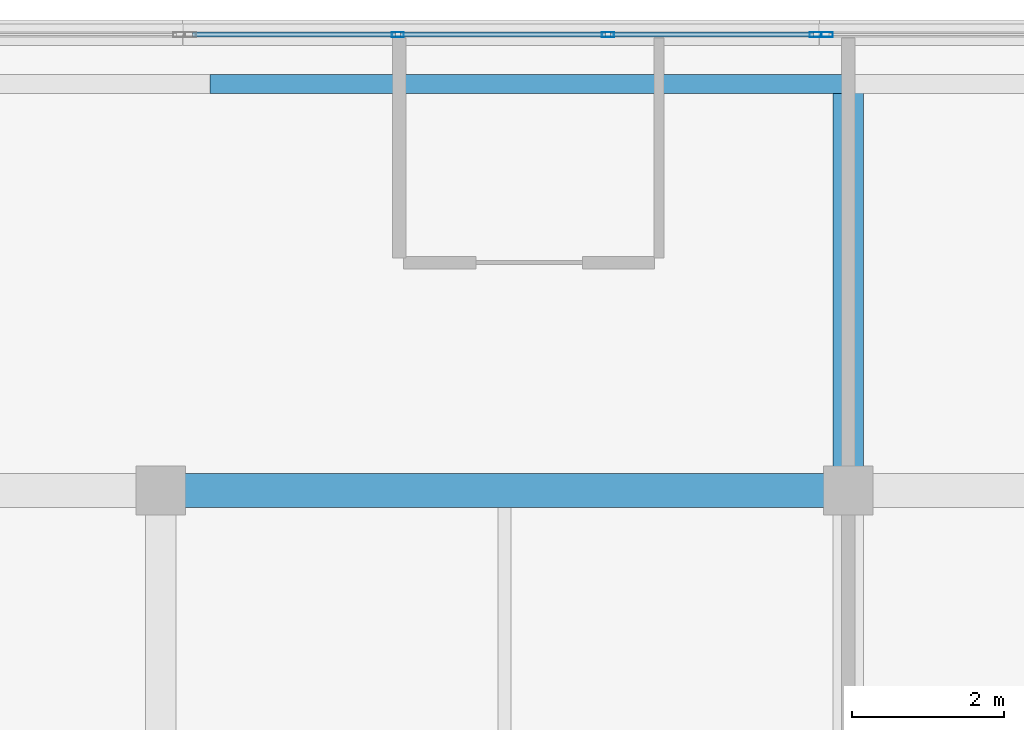
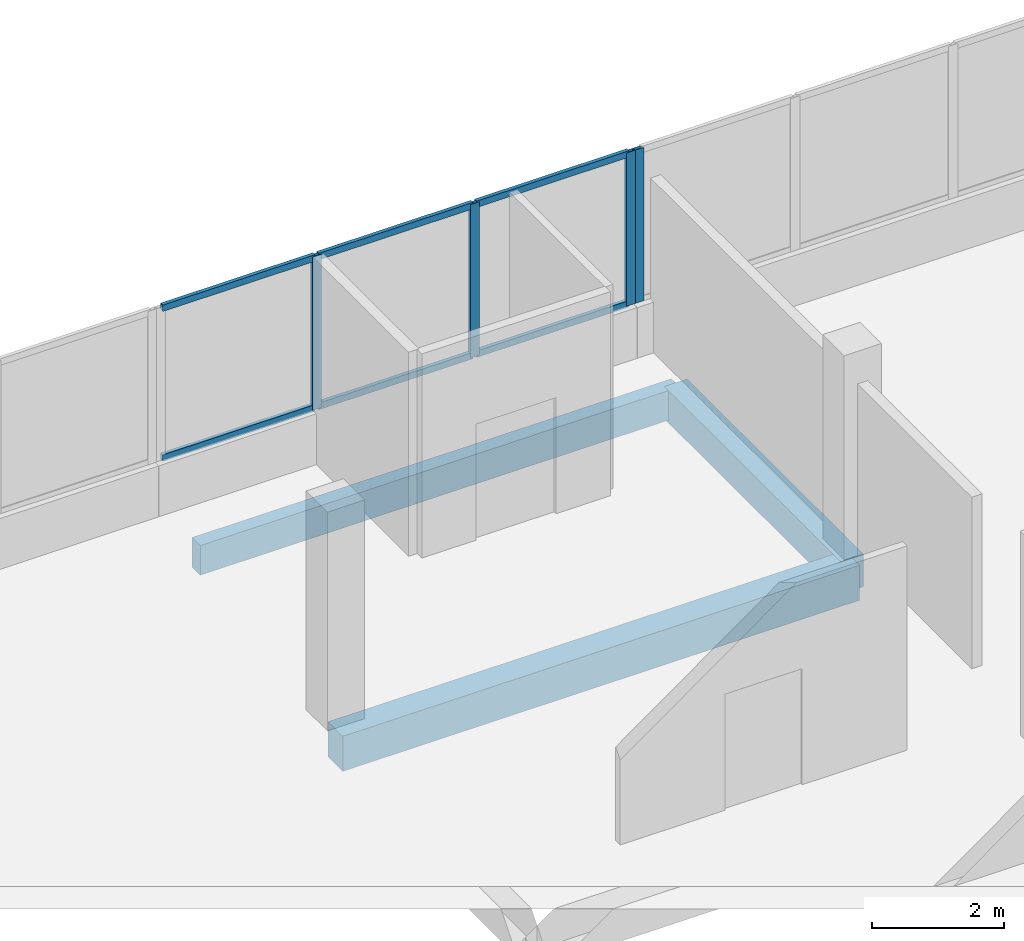
# One storey, part 59 of 76: 10 members, 3 beams, 2 elements without a shape of their own.
"""IFC4 building model written with IfcOpenShell, lengths in metres."""

import ifcopenshell
import ifcopenshell.guid

model = None  # the IFC model being written
_history = None  # IfcOwnerHistory: only IFC2X3 demands one
_inside = {}  # id of a spatial element -> (the spatial element, [elements in it])
_under = {}  # id of a project, library or spatial element -> (it, [spatial elements below it])
_declared = {}  # id of a project -> (the project, [libraries it declares])
_typed = {}  # id of a type object -> (the type object, [elements of that type])
_made_of = {}  # id of a material, layer set ... -> (it, [elements and type objects made of it])


def new_model(schema):
    """Start an empty IFC model of exactly this schema.

    Asked for "IFC4X3", IfcOpenShell would pick the latest addendum, in which some entities
    have other attributes; the version numbers below select the first issue.
    IFC2X3 requires an IfcOwnerHistory on every rooted entity: one is made here for all.
    """
    global model, _history
    if schema == "IFC4X3":
        model = ifcopenshell.file(schema_version=(4, 3, 0, 0))
    else:
        model = ifcopenshell.file(schema=schema)
    _inside.clear()
    _under.clear()
    _declared.clear()
    _typed.clear()
    _made_of.clear()
    _history = None
    if model.schema == "IFC2X3":
        org = make("IfcOrganization", Name="unknown")
        user = make(
            "IfcPersonAndOrganization",
            ThePerson=make("IfcPerson", FamilyName="unknown"),
            TheOrganization=org,
        )
        app = make(
            "IfcApplication",
            ApplicationDeveloper=org,
            Version="unknown",
            ApplicationFullName="unknown",
            ApplicationIdentifier="unknown",
        )
        _history = make(
            "IfcOwnerHistory",
            OwningUser=user,
            OwningApplication=app,
            ChangeAction="ADDED",
            CreationDate=0,
        )
    return model


def make(cls, **values):
    """One entity of the class cls with the attributes given. An attribute that is None is left unset."""
    return model.create_entity(
        cls, **{name: value for name, value in values.items() if value is not None}
    )


def rooted(cls, **values):
    """An entity with a GlobalId (a new one), such as an element, a storey or a relation."""
    return make(cls, GlobalId=ifcopenshell.guid.new(), OwnerHistory=_history, **values)


def si_unit(unit_type, name, prefix=None):
    """IfcSIUnit, for example si_unit("LENGTHUNIT", "METRE", prefix="MILLI")."""
    return make("IfcSIUnit", UnitType=unit_type, Prefix=prefix, Name=name)


def assignment(units):
    """IfcUnitAssignment: the units of a project."""
    return None if units is None else make("IfcUnitAssignment", Units=units)


def point(xyz):
    """IfcCartesianPoint."""
    return None if xyz is None else make("IfcCartesianPoint", Coordinates=xyz)


def direction(xyz):
    """IfcDirection."""
    return None if xyz is None else make("IfcDirection", DirectionRatios=xyz)


def frame(location, z_axis=None, x_axis=None):
    """IfcAxis2Placement3D, a coordinate frame: its origin and axes. An axis left out is left unset."""
    return make(
        "IfcAxis2Placement3D",
        Location=point(location),
        Axis=direction(z_axis),
        RefDirection=direction(x_axis),
    )


def frame_2d(location, x_axis=None):
    """IfcAxis2Placement2D, a coordinate frame in the plane: its origin and x axis."""
    return make(
        "IfcAxis2Placement2D", Location=point(location), RefDirection=direction(x_axis)
    )


def origin():
    """The frame at (0, 0, 0) with its axes left unset."""
    return frame((0.0, 0.0, 0.0))


def origin_2d():
    """The frame at (0, 0) in the plane with its x axis left unset."""
    return frame_2d((0.0, 0.0))


def place(relative_to, where):
    """IfcLocalPlacement: puts the frame where relative to a parent placement (None: the world)."""
    return make(
        "IfcLocalPlacement", PlacementRelTo=relative_to, RelativePlacement=where
    )


def context(
    kind, dimensions, precision=None, world=None, true_north=None, identifier=None
):
    """IfcGeometricRepresentationContext, for example the 3D "Model" context."""
    return make(
        "IfcGeometricRepresentationContext",
        ContextIdentifier=identifier,
        ContextType=kind,
        CoordinateSpaceDimension=dimensions,
        Precision=precision,
        WorldCoordinateSystem=world,
        TrueNorth=true_north,
    )


def subcontext(parent, identifier, kind, view, scale=None):
    """IfcGeometricRepresentationSubContext, for example "Body" below "Model"."""
    return make(
        "IfcGeometricRepresentationSubContext",
        ContextIdentifier=identifier,
        ContextType=kind,
        ParentContext=parent,
        TargetScale=scale,
        TargetView=view,
    )


def project(units=None, contexts=None):
    """IfcProject with its units and contexts."""
    return rooted(
        "IfcProject",
        Name="project",
        RepresentationContexts=contexts,
        UnitsInContext=assignment(units),
    )


def spatial(cls, under=None, at=None, **own):
    """A site, building, storey or space (cls), placed at a placement, below another one or the project."""
    s = rooted(cls, ObjectPlacement=at, **own)
    if under is not None:
        _under.setdefault(under.id(), (under, []))[1].append(s)
    return s


def profile(cls, at=None, kind="AREA", **sizes):
    """A parametric profile (cls). Its sizes go by their IFC names, for example OverallWidth=200.0."""
    return make(cls, ProfileType=kind, Position=at, **sizes)


def rectangle(**sizes):
    """IfcRectangleProfileDef."""
    return profile("IfcRectangleProfileDef", **sizes)


def hollow_rectangle(**sizes):
    """IfcRectangleHollowProfileDef."""
    return profile("IfcRectangleHollowProfileDef", **sizes)


def extrude(swept, where, along, depth):
    """IfcExtrudedAreaSolid: the profile swept, set in the frame where, extruded along a direction by depth."""
    return make(
        "IfcExtrudedAreaSolid",
        SweptArea=swept,
        Position=where,
        ExtrudedDirection=direction(along),
        Depth=depth,
    )


def shape(context_of_items, identifier, shape_type, items):
    """IfcShapeRepresentation: the items that make up one representation, for example the "Body"."""
    return make(
        "IfcShapeRepresentation",
        ContextOfItems=context_of_items,
        RepresentationIdentifier=identifier,
        RepresentationType=shape_type,
        Items=items,
    )


def material(Name=None, Category=None):
    """IfcMaterial."""
    return make("IfcMaterial", Name=Name, Category=Category)


def material_profile(
    of_material, cross_section, Name=None, Category=None, Priority=None
):
    """IfcMaterialProfile: a cross section and its material."""
    return make(
        "IfcMaterialProfile",
        Name=Name,
        Material=of_material,
        Profile=cross_section,
        Priority=Priority,
        Category=Category,
    )


def profile_set(profiles, Name=None, composite=None):
    """IfcMaterialProfileSet."""
    return make(
        "IfcMaterialProfileSet",
        Name=Name,
        MaterialProfiles=profiles,
        CompositeProfile=composite,
    )


def made_of(thing, what):
    """Note that an element or type object is made of a material, layer set ...; save() writes the relation."""
    if what is not None:
        _made_of.setdefault(what.id(), (what, []))[1].append(thing)
    return thing


def type_object(cls, material=None, **own):
    """A type object (cls), such as IfcWallType, which elements share."""
    return made_of(rooted(cls, **own), material)


def element(
    cls,
    number,
    at=None,
    inside=None,
    cuts=None,
    type_object=None,
    material=None,
    context=None,
    identifier="Body",
    shape_type=None,
    held_by="IfcProductDefinitionShape",
    body=None,
    shapes=None,
    **own,
):
    """One element of the class cls, such as IfcWall. Its Tag is "e" and its number.

    at: its placement. inside: the storey or other place that contains it. cuts: it is an
    opening in that element (IfcRelVoidsElement). A single representation is given by context,
    identifier, shape_type and body (its items); several are given by shapes. held_by: the class
    of the entity that holds the representations. save() writes the other relations.
    """
    e = rooted(cls, Tag="e%d" % number, ObjectPlacement=at, **own)
    if body is not None:
        shapes = [shape(context, identifier, shape_type, body)]
    if shapes is not None:
        e.Representation = make(held_by, Representations=shapes)
    if inside is not None:
        _inside.setdefault(inside.id(), (inside, []))[1].append(e)
    if cuts is not None:
        rooted(
            "IfcRelVoidsElement", RelatingBuildingElement=cuts, RelatedOpeningElement=e
        )
    if type_object is not None:
        _typed.setdefault(type_object.id(), (type_object, []))[1].append(e)
    return made_of(e, material)


def aggregate(whole, parts):
    """IfcRelAggregates: a whole, such as a stair, and the parts it consists of."""
    return rooted("IfcRelAggregates", RelatingObject=whole, RelatedObjects=parts)


def save(model, path):
    """Write the relations noted so far, then the file.

    IfcRelAggregates (storeys below a building ...), IfcRelContainedInSpatialStructure (elements
    in a storey), IfcRelDefinesByType, IfcRelAssociatesMaterial and IfcRelDeclares: one each for
    every whole, place, type object, material and project.
    """
    for whole, parts in _under.values():
        aggregate(whole, parts)
    for where, things in _inside.values():
        rooted(
            "IfcRelContainedInSpatialStructure",
            RelatedElements=things,
            RelatingStructure=where,
        )
    for kind, things in _typed.values():
        rooted("IfcRelDefinesByType", RelatedObjects=things, RelatingType=kind)
    for what, things in _made_of.values():
        rooted("IfcRelAssociatesMaterial", RelatedObjects=things, RelatingMaterial=what)
    for by, libraries in _declared.values():
        rooted("IfcRelDeclares", RelatingContext=by, RelatedDefinitions=libraries)
    model.write(path)


model = new_model("IFC4")

# Units and contexts
model_context = context("Model", 3, precision=1e-05, world=origin(), true_north=direction((0.0, 1.0)))
body_context = subcontext(model_context, "Body", "Model", "MODEL_VIEW")
ifc_project = project(units=[si_unit("LENGTHUNIT", "METRE"), si_unit("AREAUNIT", "SQUARE_METRE"), si_unit("VOLUMEUNIT", "CUBIC_METRE"), si_unit("PLANEANGLEUNIT", "RADIAN"), si_unit("MASSUNIT", "GRAM", prefix="KILO")], contexts=[model_context])

# Site, building, storey
site_placement = place(None, origin())
site = spatial("IfcSite", under=ifc_project, at=site_placement, CompositionType="ELEMENT")
building_placement = place(site_placement, origin())
building = spatial("IfcBuilding", under=site, at=building_placement, Name="Selatvlak General Hospital", CompositionType="ELEMENT")
storey_placement = place(building_placement, frame((0.0, 0.0, 27.300048828125)))
storey = spatial("IfcBuildingStorey", under=building, at=storey_placement, Name="L06", CompositionType="ELEMENT", Elevation=27.300048828125)

# Beams
ifc_material_1 = material(Name="Concrete C40/50", Category="concrete")
ifc_material_profile_1 = material_profile(ifc_material_1, rectangle(XDim=0.449951171875, YDim=0.64990234375, at=origin_2d()), Name="RC-BM 450x650")
ifc_profile_set_1 = profile_set([ifc_material_profile_1], Name="Concrete C40/50")
beam_type_1 = type_object("IfcBeamType", Name="BM-G04", PredefinedType="BEAM", material=ifc_profile_set_1)
beam_1_placement = place(storey_placement, frame((164.949951171875, 114.0, -0.60009765625), z_axis=(1.0, 0.0, 0.0), x_axis=(0.0, 1.0, 0.0)))
element("IfcBeam", 1, at=beam_1_placement, inside=storey, type_object=beam_type_1, Name="Beam BMR-L06-2228", PredefinedType="BEAM", context=body_context, shape_type="SweptSolid", body=[
    extrude(rectangle(XDim=0.449951171875, YDim=0.64990234375, at=origin_2d()), origin(), (0.0, 0.0, 1.0), 9.050048828125),
])
ifc_material_profile_2 = material_profile(ifc_material_1, rectangle(XDim=0.39990234375, YDim=0.60009765625, at=origin_2d()), Name="RC-BM 400x600")
ifc_profile_set_2 = profile_set([ifc_material_profile_2], Name="Concrete C40/50")
beam_type_2 = type_object("IfcBeamType", Name="BM-G05", PredefinedType="BEAM", material=ifc_profile_set_2)
beam_2_placement = place(storey_placement, frame((174.0, 114.0, -0.574951171875), z_axis=(0.0, 1.0, 0.0), x_axis=(-1.0, 0.0, 0.0)))
element("IfcBeam", 2, at=beam_2_placement, inside=storey, type_object=beam_type_2, Name="Beam BMR-L06-2343", PredefinedType="BEAM", context=body_context, shape_type="SweptSolid", body=[
    extrude(rectangle(XDim=0.39990234375, YDim=0.60009765625, at=origin_2d()), origin(), (0.0, 0.0, 1.0), 5.35009765625),
])
ifc_material_profile_3 = material_profile(ifc_material_1, rectangle(XDim=0.25, YDim=0.550048828125, at=origin_2d()), Name="RC-SP 250x550")
ifc_profile_set_3 = profile_set([ifc_material_profile_3], Name="Concrete C40/50")
beam_type_3 = type_object("IfcBeamType", Name="BM-SP2", PredefinedType="SPANDREL", material=ifc_profile_set_3)
beam_3_placement = place(storey_placement, frame((165.60009765625, 119.35009765625, -0.550048828125), z_axis=(1.0, 0.0, 0.0), x_axis=(0.0, 1.0, 0.0)))
element("IfcBeam", 3, at=beam_3_placement, inside=storey, type_object=beam_type_3, Name="Beam BMR-L06-2243", PredefinedType="SPANDREL", context=body_context, shape_type="SweptSolid", body=[
    extrude(rectangle(XDim=0.25, YDim=0.550048828125, at=origin_2d()), origin(), (0.0, 0.0, 1.0), 8.39990234375),
])

# Curtain wall, members
ifc_material_2 = material(Name="Solar-control Low-E double glazing", Category="glass")
curtain_wall_type_1 = type_object("IfcCurtainWallType", Name="CW-CW-01", PredefinedType="USERDEFINED", material=ifc_material_2)
curtain_wall_1_placement = place(storey_placement, origin())
curtain_wall_1 = element("IfcCurtainWall", 4, at=curtain_wall_1_placement, inside=storey, type_object=curtain_wall_type_1, Name="Glazed facade curtain wall CW-L06-0615", ObjectType="UNITISED CURTAIN WALL", PredefinedType="USERDEFINED")
ifc_material_3 = material(Name="Dark anodised aluminium mullion", Category="aluminium")
ifc_material_profile_4 = material_profile(ifc_material_3, hollow_rectangle(XDim=0.06494140625, YDim=0.159912109375, WallThickness=0.00390625, at=origin_2d()), Name="AL-MUL 65x160x4")
ifc_profile_set_4 = profile_set([ifc_material_profile_4], Name="Dark anodised aluminium mullion")
member_type_1 = type_object("IfcMemberType", Name="CWM-01", PredefinedType="MULLION", material=ifc_profile_set_4)
member_1_placement = place(storey_placement, frame((168.072265625, 120.0, 0.93994140625), z_axis=(0.0, 0.0, 1.0), x_axis=(0.0, 1.0, 0.0)))
member_1 = element("IfcMember", 5, at=member_1_placement, type_object=member_type_1, Name="CW-01 mullion 2", PredefinedType="MULLION", context=body_context, shape_type="SweptSolid", body=[
    extrude(hollow_rectangle(XDim=0.06494140625, YDim=0.159912109375, WallThickness=0.00390625, at=origin_2d()), origin(), (0.0, 0.0, 1.0), 2.840087890625),
])
member_2_placement = place(storey_placement, frame((170.838623046875, 120.0, 0.93994140625), z_axis=(0.0, 0.0, 1.0), x_axis=(0.0, 1.0, 0.0)))
member_2 = element("IfcMember", 6, at=member_2_placement, type_object=member_type_1, Name="CW-01 mullion 3", PredefinedType="MULLION", context=body_context, shape_type="SweptSolid", body=[
    extrude(hollow_rectangle(XDim=0.06494140625, YDim=0.159912109375, WallThickness=0.00390625, at=origin_2d()), origin(), (0.0, 0.0, 1.0), 2.840087890625),
])
member_3_placement = place(storey_placement, frame((173.572509765625, 120.0, 0.93994140625), z_axis=(0.0, 0.0, 1.0), x_axis=(0.0, 1.0, 0.0)))
member_3 = element("IfcMember", 7, at=member_3_placement, type_object=member_type_1, Name="CW-01 mullion 4", PredefinedType="MULLION", context=body_context, shape_type="SweptSolid", body=[
    extrude(hollow_rectangle(XDim=0.06494140625, YDim=0.159912109375, WallThickness=0.00390625, at=origin_2d()), origin(), (0.0, 0.0, 1.0), 2.840087890625),
])

# Curtain wall, member
curtain_wall_type_2 = type_object("IfcCurtainWallType", Name="CW-CW-02", PredefinedType="USERDEFINED", material=ifc_material_2)
curtain_wall_2_placement = place(storey_placement, origin())
curtain_wall_2 = element("IfcCurtainWall", 8, at=curtain_wall_2_placement, inside=storey, type_object=curtain_wall_type_2, Name="Glazed facade curtain wall CW-L06-0616", ObjectType="UNITISED CURTAIN WALL", PredefinedType="USERDEFINED")
member_4_placement = place(storey_placement, frame((173.717529296875, 120.0, 0.93994140625), z_axis=(0.0, 0.0, 1.0), x_axis=(0.0, 1.0, 0.0)))
member_4 = element("IfcMember", 9, at=member_4_placement, type_object=member_type_1, Name="CW-02 mullion 1", PredefinedType="MULLION", context=body_context, shape_type="SweptSolid", body=[
    extrude(hollow_rectangle(XDim=0.06494140625, YDim=0.159912109375, WallThickness=0.00390625, at=origin_2d()), origin(), (0.0, 0.0, 1.0), 2.840087890625),
])
aggregate(curtain_wall_2, [member_4])

# Member
ifc_material_profile_5 = material_profile(ifc_material_3, hollow_rectangle(XDim=0.06494140625, YDim=0.1201171875, WallThickness=0.00390625, at=origin_2d()), Name="AL-TRN 65x120x4")
ifc_profile_set_5 = profile_set([ifc_material_profile_5], Name="Dark anodised aluminium mullion")
member_type_2 = type_object("IfcMemberType", Name="CWT-01", PredefinedType="USERDEFINED", material=ifc_profile_set_5)
member_5_placement = place(storey_placement, frame((165.37109375, 120.0, 0.972412109375), z_axis=(1.0, 0.0, 0.0), x_axis=(0.0, 1.0, 0.0)))
member_5 = element("IfcMember", 10, at=member_5_placement, type_object=member_type_2, Name="CW-01 transom 1.1", ObjectType="TRANSOM", PredefinedType="USERDEFINED", context=body_context, shape_type="SweptSolid", body=[
    extrude(hollow_rectangle(XDim=0.06494140625, YDim=0.1201171875, WallThickness=0.00390625, at=origin_2d()), origin(), (0.0, 0.0, 1.0), 2.668701171875),
])

member_6_placement = place(storey_placement, frame((165.37109375, 120.0, 3.74755859375), z_axis=(1.0, 0.0, 0.0), x_axis=(0.0, 1.0, 0.0)))
member_6 = element("IfcMember", 11, at=member_6_placement, type_object=member_type_2, Name="CW-01 transom 1.2", ObjectType="TRANSOM", PredefinedType="USERDEFINED", context=body_context, shape_type="SweptSolid", body=[
    extrude(hollow_rectangle(XDim=0.06494140625, YDim=0.1201171875, WallThickness=0.00390625, at=origin_2d()), origin(), (0.0, 0.0, 1.0), 2.668701171875),
])

member_7_placement = place(storey_placement, frame((168.104736328125, 120.0, 0.972412109375), z_axis=(1.0, 0.0, 0.0), x_axis=(0.0, 1.0, 0.0)))
member_7 = element("IfcMember", 12, at=member_7_placement, type_object=member_type_2, Name="CW-01 transom 2.1", ObjectType="TRANSOM", PredefinedType="USERDEFINED", context=body_context, shape_type="SweptSolid", body=[
    extrude(hollow_rectangle(XDim=0.06494140625, YDim=0.1201171875, WallThickness=0.00390625, at=origin_2d()), origin(), (0.0, 0.0, 1.0), 2.701416015625),
])

member_8_placement = place(storey_placement, frame((168.104736328125, 120.0, 3.74755859375), z_axis=(1.0, 0.0, 0.0), x_axis=(0.0, 1.0, 0.0)))
member_8 = element("IfcMember", 13, at=member_8_placement, type_object=member_type_2, Name="CW-01 transom 2.2", ObjectType="TRANSOM", PredefinedType="USERDEFINED", context=body_context, shape_type="SweptSolid", body=[
    extrude(hollow_rectangle(XDim=0.06494140625, YDim=0.1201171875, WallThickness=0.00390625, at=origin_2d()), origin(), (0.0, 0.0, 1.0), 2.701416015625),
])

member_9_placement = place(storey_placement, frame((170.87109375, 120.0, 0.972412109375), z_axis=(1.0, 0.0, 0.0), x_axis=(0.0, 1.0, 0.0)))
member_9 = element("IfcMember", 14, at=member_9_placement, type_object=member_type_2, Name="CW-01 transom 3.1", ObjectType="TRANSOM", PredefinedType="USERDEFINED", context=body_context, shape_type="SweptSolid", body=[
    extrude(hollow_rectangle(XDim=0.06494140625, YDim=0.1201171875, WallThickness=0.00390625, at=origin_2d()), origin(), (0.0, 0.0, 1.0), 2.6689453125),
])

member_10_placement = place(storey_placement, frame((170.87109375, 120.0, 3.74755859375), z_axis=(1.0, 0.0, 0.0), x_axis=(0.0, 1.0, 0.0)))
member_10 = element("IfcMember", 15, at=member_10_placement, type_object=member_type_2, Name="CW-01 transom 3.2", ObjectType="TRANSOM", PredefinedType="USERDEFINED", context=body_context, shape_type="SweptSolid", body=[
    extrude(hollow_rectangle(XDim=0.06494140625, YDim=0.1201171875, WallThickness=0.00390625, at=origin_2d()), origin(), (0.0, 0.0, 1.0), 2.6689453125),
])

aggregate(curtain_wall_1, [member_1, member_2, member_3, member_5, member_6, member_7, member_8, member_9, member_10])

save(model, "model.ifc")
